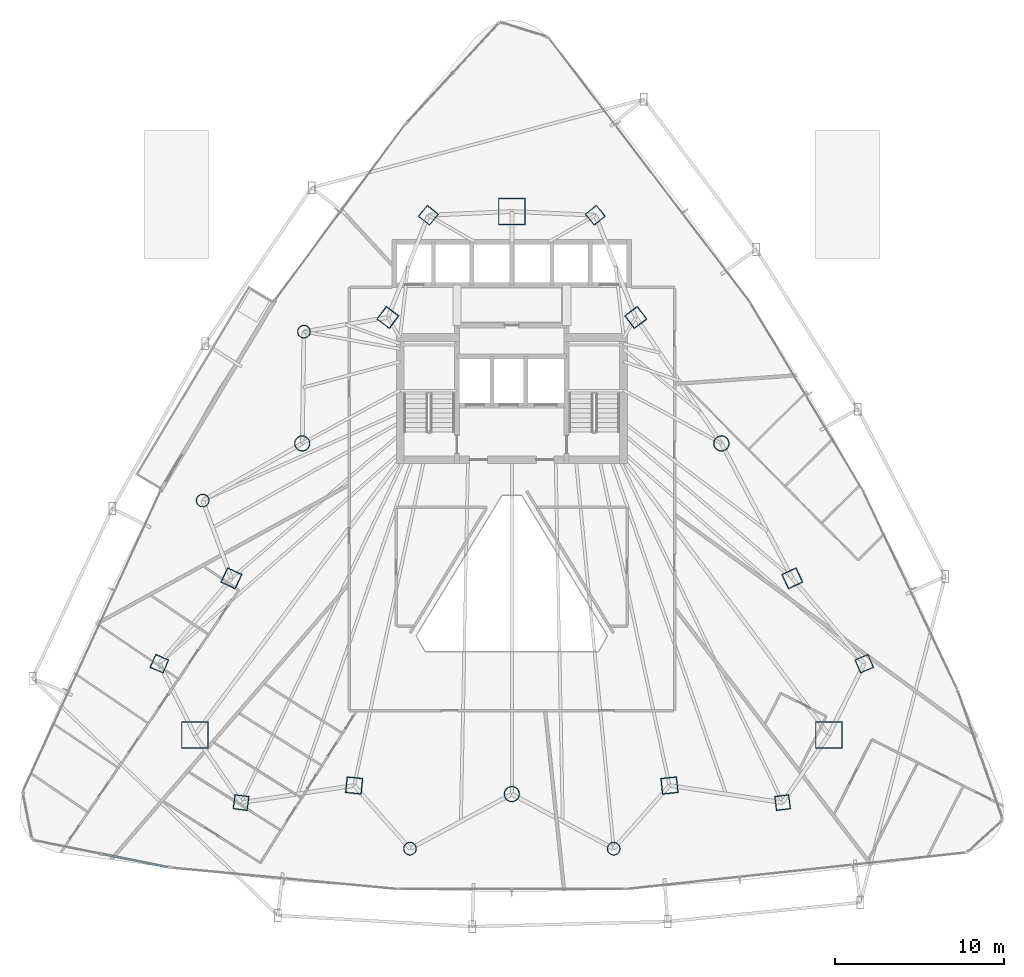
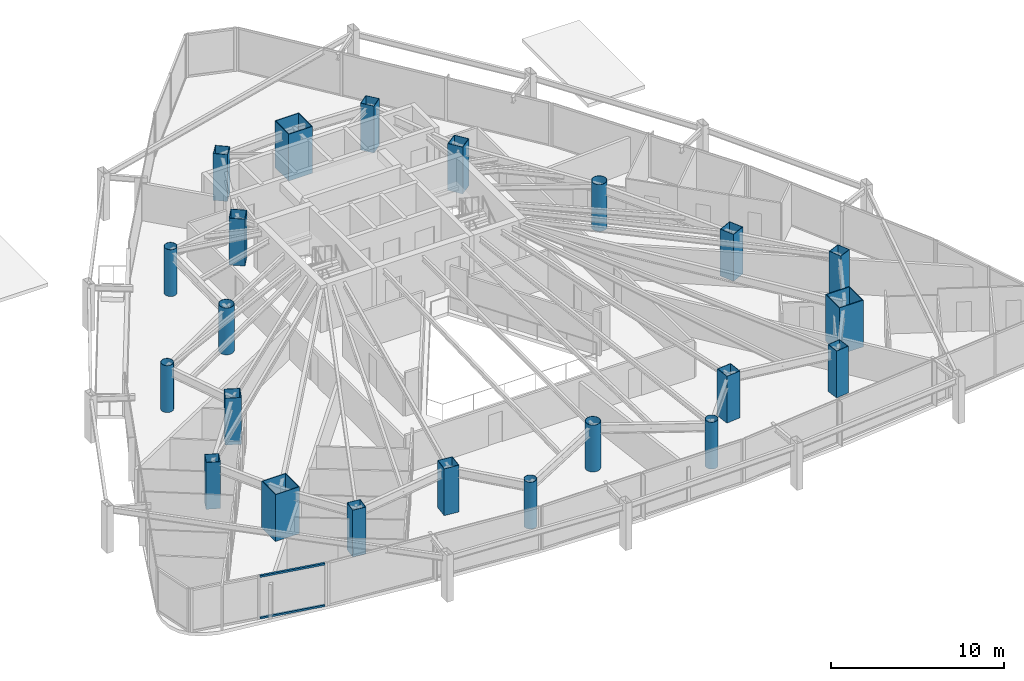
# One storey, part 1 of 35: 22 columns, 2 members, 1 element without a shape of its own.
"""IFC4 building model written with IfcOpenShell, lengths in metres."""

from ifc_helpers import new_model, si_unit, direction, frame, origin, origin_2d, place, context, subcontext, project, spatial, hollow_rectangle, hollow_circle, extrude, material, layer, layer_set, material_profile, profile_set, type_object, element, aggregate, save


model = new_model("IFC4")

# Units and contexts
model_context = context("Model", 3, precision=1e-05, world=origin(), true_north=direction((0.0, 1.0)))
body_context = subcontext(model_context, "Body", "Model", "MODEL_VIEW")
ifc_project = project(units=[si_unit("LENGTHUNIT", "METRE"), si_unit("AREAUNIT", "SQUARE_METRE"), si_unit("VOLUMEUNIT", "CUBIC_METRE"), si_unit("PLANEANGLEUNIT", "RADIAN"), si_unit("MASSUNIT", "GRAM", prefix="KILO")], contexts=[model_context])

# Site, building, storey
site_placement = place(None, origin())
site = spatial("IfcSite", under=ifc_project, at=site_placement, CompositionType="ELEMENT")
building_placement = place(site_placement, origin())
building = spatial("IfcBuilding", under=site, at=building_placement, Name="Orvanel Arch Residences", CompositionType="ELEMENT")
storey_placement = place(building_placement, frame((0.0, 0.0, 26.89990234375)))
storey = spatial("IfcBuildingStorey", under=building, at=storey_placement, Name="L06", CompositionType="ELEMENT", Elevation=26.89990234375)

# Columns
ifc_material_1 = material(Name="Structural steel AS/NZS 1163 C450L0 (Grade 450)", Category="steel")
ifc_material_profile_1 = material_profile(ifc_material_1, hollow_circle(Radius=0.381103515625, WallThickness=0.02197265625, at=origin_2d()), Name="CHS762x22")
ifc_profile_set_1 = profile_set([ifc_material_profile_1], Name="Structural steel AS/NZS 1163 C450L0 (Grade 450)")
column_type_1 = type_object("IfcColumnType", Name="CC-762", PredefinedType="COLUMN", material=ifc_profile_set_1)
for number, where, z_axis, x_axis, name in (
    (1, (20.669921875, 34.27099609375, 0.0), (0.0, 0.0, 1.0), (1.0, 0.0, 0.0), "L06 Low-Rise Buttress Tube Column 01"),
    (2, (14.662109375, 24.256103515625, 0.0), (0.0, 0.0, 1.0), (1.0, 0.0, 0.0), "L06 Low-Rise Buttress Tube Column 02"),
    (3, (26.9580078125, 3.60498046875, 0.0), (0.0, 0.0, 1.0), (1.0, 0.0, 0.0), "L06 Low-Rise Buttress Tube Column 03"),
    (4, (39.0419921875, 3.60498046875, 0.0), (0.0, 0.0, 1.0), (1.0, 0.0, 0.0), "L06 Low-Rise Buttress Tube Column 04"),
):
    element("IfcColumn", number, at=place(storey_placement, frame(where, z_axis=z_axis, x_axis=x_axis)), inside=storey, type_object=column_type_1, Name=name, PredefinedType="COLUMN", context=body_context, shape_type="SweptSolid", body=[
        extrude(hollow_circle(Radius=0.381103515625, WallThickness=0.02197265625, at=origin_2d()), origin(), (0.0, 0.0, 1.0), 3.300048828125),
    ])
ifc_material_profile_2 = material_profile(ifc_material_1, hollow_circle(Radius=0.45703125, WallThickness=0.02490234375, at=origin_2d()), Name="CHS914x25")
ifc_profile_set_2 = profile_set([ifc_material_profile_2], Name="Structural steel AS/NZS 1163 C450L0 (Grade 450)")
column_type_2 = type_object("IfcColumnType", Name="CC-914", PredefinedType="COLUMN", material=ifc_profile_set_2)
for number, where, z_axis, x_axis, name in (
    (5, (20.569091796875, 27.64111328125, 0.0), (0.0, 0.0, 1.0), (1.0, 0.0, 0.0), "L06 High-Rise Tube Column 02"),
    (6, (33.0, 6.843994140625, 0.0), (0.0, 0.0, 1.0), (1.0, 0.0, 0.0), "L06 High-Rise Tube Column 05"),
    (7, (45.430908203125, 27.64111328125, 0.0), (0.0, 0.0, 1.0), (1.0, 0.0, 0.0), "L06 High-Rise Tube Column 08"),
):
    element("IfcColumn", number, at=place(storey_placement, frame(where, z_axis=z_axis, x_axis=x_axis)), inside=storey, type_object=column_type_2, Name=name, PredefinedType="COLUMN", context=body_context, shape_type="SweptSolid", body=[
        extrude(hollow_circle(Radius=0.45703125, WallThickness=0.02490234375, at=origin_2d()), origin(), (0.0, 0.0, 1.0), 3.300048828125),
    ])
ifc_material_2 = material(Name="Structural steel AS/NZS 3678 Grade 450", Category="steel")
ifc_material_profile_3 = material_profile(ifc_material_2, hollow_rectangle(XDim=1.60009765625, YDim=1.60009765625, WallThickness=0.050048828125, at=origin_2d()), Name="BOX1600x1600x50")
ifc_profile_set_3 = profile_set([ifc_material_profile_3], Name="Structural steel AS/NZS 3678 Grade 450")
column_type_3 = type_object("IfcColumnType", Name="MC-1600", PredefinedType="COLUMN", material=ifc_profile_set_3)
for number, where, z_axis, x_axis, name in (
    (8, (33.0, 41.39794921875, 0.0), (0.0, 0.0, 1.0), (1.0, 0.0, 0.0), "L06 Corner Mega-Column 1"),
    (9, (14.198974609375, 10.35107421875, 0.0), (0.0, 0.0, 1.0), (1.0, 0.0, 0.0), "L06 Corner Mega-Column 2"),
    (10, (51.801025390625, 10.35107421875, 0.0), (0.0, 0.0, 1.0), (1.0, 0.0, 0.0), "L06 Corner Mega-Column 3"),
):
    element("IfcColumn", number, at=place(storey_placement, frame(where, z_axis=z_axis, x_axis=x_axis)), inside=storey, type_object=column_type_3, Name=name, PredefinedType="COLUMN", context=body_context, shape_type="SweptSolid", body=[
        extrude(hollow_rectangle(XDim=1.60009765625, YDim=1.60009765625, WallThickness=0.050048828125, at=origin_2d()), origin(), (0.0, 0.0, 1.0), 3.300048828125),
    ])
ifc_material_3 = material(Name="Structural steel AS/NZS 3678 Grade 350", Category="steel")
ifc_material_profile_4 = material_profile(ifc_material_3, hollow_rectangle(XDim=0.85009765625, YDim=0.85009765625, WallThickness=0.028076171875, at=origin_2d()), Name="BOX850x850x28")
ifc_profile_set_4 = profile_set([ifc_material_profile_4], Name="Structural steel AS/NZS 3678 Grade 350")
column_type_4 = type_object("IfcColumnType", Name="TC-850", PredefinedType="COLUMN", material=ifc_profile_set_4)
for number, where, z_axis, x_axis, name in (
    (11, (28.050048828125, 41.177978515625, 0.0), (0.0, 0.0, 1.0), (0.623879596709, 0.781520472419, 0.0), "L06 Mid-Rise Buttress Tube Column 01"),
    (12, (12.094970703125, 14.580078125, 0.0), (0.0, 0.0, 1.0), (0.397147890635, 0.917754625684, 0.0), "L06 Mid-Rise Buttress Tube Column 02"),
    (13, (16.94091796875, 6.339111328125, 0.0), (0.0, 0.0, 1.0), (-0.99189444259, 0.127064608601, 0.0), "L06 Mid-Rise Buttress Tube Column 03"),
    (14, (49.05908203125, 6.339111328125, 0.0), (0.0, 0.0, 1.0), (0.99189444259, 0.127064608601, 0.0), "L06 Mid-Rise Buttress Tube Column 04"),
    (15, (53.905029296875, 14.580078125, 0.0), (0.0, 0.0, 1.0), (-0.397147890635, 0.917754625684, 0.0), "L06 Mid-Rise Buttress Tube Column 05"),
    (16, (37.949951171875, 41.177978515625, 0.0), (0.0, 0.0, 1.0), (-0.623879596709, 0.781520472419, 0.0), "L06 Mid-Rise Buttress Tube Column 06"),
):
    element("IfcColumn", number, at=place(storey_placement, frame(where, z_axis=z_axis, x_axis=x_axis)), inside=storey, type_object=column_type_4, Name=name, PredefinedType="COLUMN", context=body_context, shape_type="SweptSolid", body=[
        extrude(hollow_rectangle(XDim=0.85009765625, YDim=0.85009765625, WallThickness=0.028076171875, at=origin_2d()), origin(), (0.0, 0.0, 1.0), 3.300048828125),
    ])
ifc_material_profile_5 = material_profile(ifc_material_3, hollow_rectangle(XDim=0.949951171875, YDim=0.949951171875, WallThickness=0.031982421875, at=origin_2d()), Name="BOX950x950x32")
ifc_profile_set_5 = profile_set([ifc_material_profile_5], Name="Structural steel AS/NZS 3678 Grade 350")
column_type_5 = type_object("IfcColumnType", Name="TC-950", PredefinedType="COLUMN", material=ifc_profile_set_5)
for number, where, z_axis, x_axis, name in (
    (17, (25.64794921875, 35.113037109375, 0.0), (0.0, 0.0, 1.0), (0.600420225326, 0.799684658487, 0.0), "L06 High-Rise Tube Column 01"),
    (18, (16.366943359375, 19.64208984375, 0.0), (0.0, 0.0, 1.0), (0.422618261741, 0.906307787037, 0.0), "L06 High-Rise Tube Column 03"),
    (19, (23.64892578125, 7.35498046875, 0.0), (0.0, 0.0, 1.0), (-0.994880708829, 0.101056297183, 0.0), "L06 High-Rise Tube Column 04"),
    (20, (42.35107421875, 7.35498046875, 0.0), (0.0, 0.0, 1.0), (0.994880708829, 0.101056297183, 0.0), "L06 High-Rise Tube Column 06"),
    (21, (49.633056640625, 19.64208984375, 0.0), (0.0, 0.0, 1.0), (-0.422618261741, 0.906307787037, 0.0), "L06 High-Rise Tube Column 07"),
    (22, (40.35205078125, 35.113037109375, 0.0), (0.0, 0.0, 1.0), (-0.600420225326, 0.799684658487, 0.0), "L06 High-Rise Tube Column 09"),
):
    element("IfcColumn", number, at=place(storey_placement, frame(where, z_axis=z_axis, x_axis=x_axis)), inside=storey, type_object=column_type_5, Name=name, PredefinedType="COLUMN", context=body_context, shape_type="SweptSolid", body=[
        extrude(hollow_rectangle(XDim=0.949951171875, YDim=0.949951171875, WallThickness=0.031982421875, at=origin_2d()), origin(), (0.0, 0.0, 1.0), 3.300048828125),
    ])

# Curtain wall, members
ifc_material_4 = material(Name="Bronze-anodised aluminium AA6063-T6", Category="aluminium")
ifc_layer = layer(ifc_material_4, 0.18994140625)
ifc_layer_set = layer_set([ifc_layer], Name="Bronze-anodised aluminium AA6063-T6")
curtain_wall_type = type_object("IfcCurtainWallType", Name="CW5-CRN-SYS", PredefinedType="NOTDEFINED", material=ifc_layer_set)
curtain_wall_placement = place(storey_placement, origin())
curtain_wall = element("IfcCurtainWall", 23, at=curtain_wall_placement, inside=storey, type_object=curtain_wall_type, Name="L06 CW5-CRN-SYS Unitised Curtain Wall", PredefinedType="NOTDEFINED")
ifc_material_profile_6 = material_profile(ifc_material_4, hollow_rectangle(XDim=0.1298828125, YDim=0.1298828125, WallThickness=0.00439453125, at=origin_2d()), Name="ALU130x130x4.5")
ifc_profile_set_6 = profile_set([ifc_material_profile_6], Name="Bronze-anodised aluminium AA6063-T6")
member_type = type_object("IfcMemberType", Name="TRN-130x130", PredefinedType="USERDEFINED", material=ifc_profile_set_6)
member_1_placement = place(storey_placement, frame((8.73291015625, 3.28662109375, 0.065185546875), z_axis=(0.980399326338, -0.197020711897, 0.0), x_axis=(0.197020711897, 0.980399326338, 0.0)))
member_1 = element("IfcMember", 24, at=member_1_placement, type_object=member_type, Name="CW-S5 transom 2.1", ObjectType="TRANSOM", PredefinedType="USERDEFINED", context=body_context, shape_type="SweptSolid", body=[
    extrude(hollow_rectangle(XDim=0.1298828125, YDim=0.1298828125, WallThickness=0.00439453125, at=origin_2d()), origin(), (0.0, 0.0, 1.0), 3.9443359375),
])
member_2_placement = place(storey_placement, frame((8.73291015625, 3.28662109375, 2.9951171875), z_axis=(0.980399326338, -0.197020711897, 0.0), x_axis=(0.197020711897, 0.980399326338, 0.0)))
member_2 = element("IfcMember", 25, at=member_2_placement, type_object=member_type, Name="CW-S5 transom 2.2", ObjectType="TRANSOM", PredefinedType="USERDEFINED", context=body_context, shape_type="SweptSolid", body=[
    extrude(hollow_rectangle(XDim=0.1298828125, YDim=0.1298828125, WallThickness=0.00439453125, at=origin_2d()), origin(), (0.0, 0.0, 1.0), 3.9443359375),
])
aggregate(curtain_wall, [member_1, member_2])

save(model, "model.ifc")
